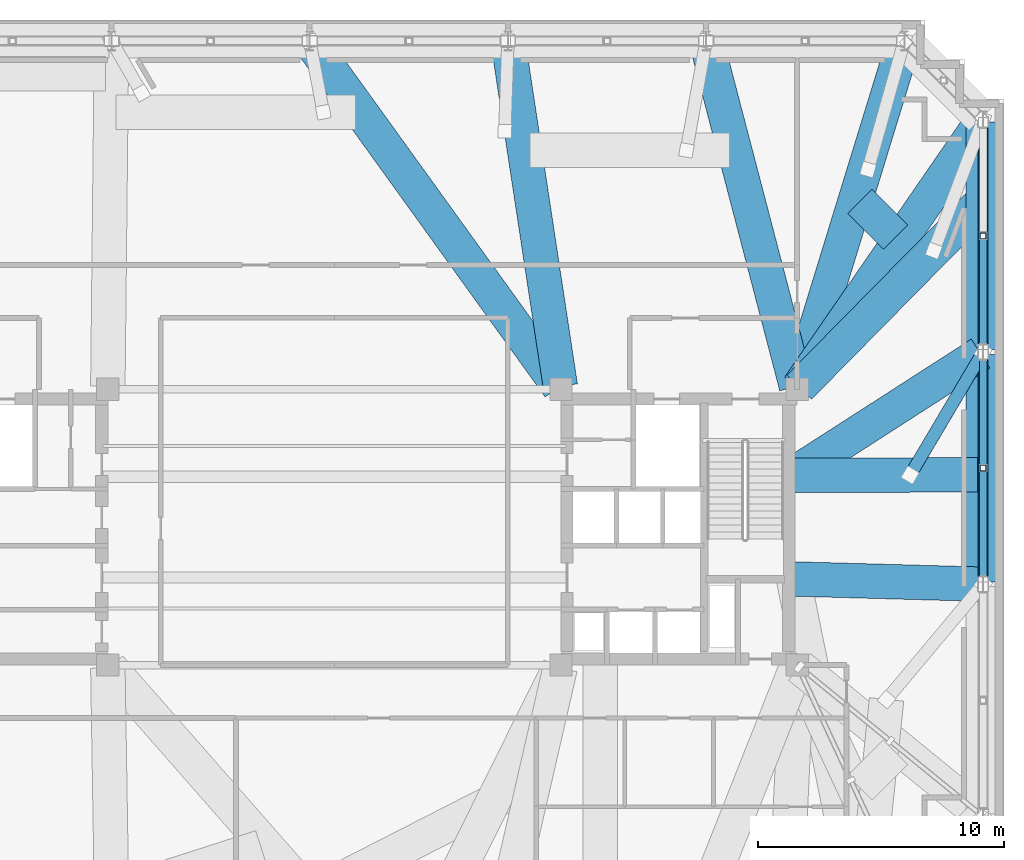
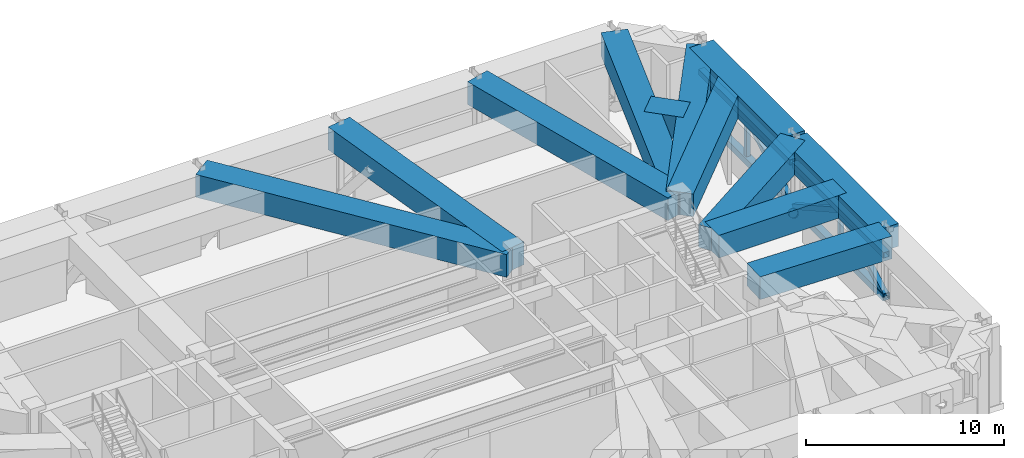
# One storey, part 8 of 18: 12 beams, 10 members.
"""IFC4 building model written with IfcOpenShell, lengths in metres."""

from ifc_helpers import new_model, si_unit, direction, frame, origin, origin_2d, place, context, subcontext, project, spatial, rectangle, hollow_rectangle, hollow_circle, extrude, material, material_profile, profile_set, type_object, element, save


model = new_model("IFC4")

# Units and contexts
model_context = context("Model", 3, precision=1e-05, world=origin(), true_north=direction((0.0, 1.0)))
body_context = subcontext(model_context, "Body", "Model", "MODEL_VIEW")
ifc_project = project(units=[si_unit("LENGTHUNIT", "METRE"), si_unit("AREAUNIT", "SQUARE_METRE"), si_unit("VOLUMEUNIT", "CUBIC_METRE"), si_unit("PLANEANGLEUNIT", "RADIAN"), si_unit("MASSUNIT", "GRAM", prefix="KILO")], contexts=[model_context])

# Site, building, storey
site_placement = place(None, origin())
site = spatial("IfcSite", under=ifc_project, at=site_placement, CompositionType="ELEMENT")
building_placement = place(site_placement, origin())
building = spatial("IfcBuilding", under=site, at=building_placement, Name="Qobustan Lattice House", CompositionType="ELEMENT")
storey_placement = place(building_placement, frame((0.0, 0.0, 174.550048828125)))
storey = spatial("IfcBuildingStorey", under=building, at=storey_placement, Name="L49", CompositionType="ELEMENT", Elevation=174.550048828125)

# Beams
ifc_material_1 = material(Name="Concrete C60/75", Category="concrete")
ifc_material_profile_1 = material_profile(ifc_material_1, rectangle(XDim=1.39990234375, YDim=1.39990234375, at=origin_2d()), Name="RC1400x1400")
ifc_profile_set_1 = profile_set([ifc_material_profile_1], Name="Concrete C60/75")
beam_type = type_object("IfcBeamType", Name="BM-TRG-RC1400", PredefinedType="USERDEFINED", material=ifc_profile_set_1)
beam_1_placement = place(storey_placement, frame((26.35009765625, -2.216796875, 4.119873046875), z_axis=(0.0, 1.0, 0.0), x_axis=(-1.0, 0.0, 0.0)))
element("IfcBeam", 1, at=beam_1_placement, inside=storey, type_object=beam_type, Name="L49 TT3 lower perimeter transfer girder E2-E3", ObjectType="GIRDER", PredefinedType="USERDEFINED", context=body_context, shape_type="SweptSolid", body=[
    extrude(rectangle(XDim=1.39990234375, YDim=1.39990234375, at=origin_2d()), origin(), (0.0, 0.0, 1.0), 9.2333984375),
])
beam_2_placement = place(storey_placement, frame((26.35009765625, 7.216796875, 4.119873046875), z_axis=(0.0, 1.0, 0.0), x_axis=(-1.0, 0.0, 0.0)))
element("IfcBeam", 2, at=beam_2_placement, inside=storey, type_object=beam_type, Name="L49 TT3 lower perimeter transfer girder E3-E4", ObjectType="GIRDER", PredefinedType="USERDEFINED", context=body_context, shape_type="SweptSolid", body=[
    extrude(rectangle(XDim=1.39990234375, YDim=1.39990234375, at=origin_2d()), origin(), (0.0, 0.0, 1.0), 9.233154296875),
])
beam_3_placement = place(storey_placement, frame((18.669921875, -2.103271484375, 4.119873046875), z_axis=(0.999613673622, -0.027793947329, 0.0), x_axis=(0.027793947329, 0.999613673622, 0.0)))
element("IfcBeam", 3, at=beam_3_placement, inside=storey, type_object=beam_type, Name="L49 TT3 radial transfer girder E2", ObjectType="GIRDER", PredefinedType="USERDEFINED", context=body_context, shape_type="SweptSolid", body=[
    extrude(rectangle(XDim=1.39990234375, YDim=1.39990234375, at=origin_2d()), origin(), (0.0, 0.0, 1.0), 7.56298828125),
])
beam_4_placement = place(storey_placement, frame((18.65087890625, 2.164794921875, 4.119873046875), z_axis=(0.841055526454, 0.540948797411, 0.0), x_axis=(-0.540948797411, 0.841055526454, 0.0)))
element("IfcBeam", 4, at=beam_4_placement, inside=storey, type_object=beam_type, Name="L49 TT3 radial transfer girder E3", ObjectType="GIRDER", PredefinedType="USERDEFINED", context=body_context, shape_type="SweptSolid", body=[
    extrude(rectangle(XDim=1.39990234375, YDim=1.39990234375, at=origin_2d()), origin(), (0.0, 0.0, 1.0), 9.0341796875),
])
beam_5_placement = place(storey_placement, frame((18.8681640625, 5.69873046875, 4.119873046875), z_axis=(0.567646899145, 0.823272128698, 0.0), x_axis=(-0.823272128698, 0.567646899145, 0.0)))
element("IfcBeam", 5, at=beam_5_placement, inside=storey, type_object=beam_type, Name="L49 TT3 radial transfer girder E4", ObjectType="GIRDER", PredefinedType="USERDEFINED", context=body_context, shape_type="SweptSolid", body=[
    extrude(rectangle(XDim=1.39990234375, YDim=1.39990234375, at=origin_2d()), origin(), (0.0, 0.0, 1.0), 13.060546875),
])
beam_6_placement = place(storey_placement, frame((18.835205078125, 5.714599609375, 4.119873046875), z_axis=(0.293851419619, 0.95585110932, 0.0), x_axis=(-0.95585110932, 0.293851419619, 0.0)))
element("IfcBeam", 6, at=beam_6_placement, inside=storey, type_object=beam_type, Name="L49 TT3 radial transfer girder N1", ObjectType="GIRDER", PredefinedType="USERDEFINED", context=body_context, shape_type="SweptSolid", body=[
    extrude(rectangle(XDim=1.39990234375, YDim=1.39990234375, at=origin_2d()), origin(), (0.0, 0.0, 1.0), 14.563720703125),
])
beam_7_placement = place(storey_placement, frame((18.76953125, 5.716064453125, 4.119873046875), z_axis=(-0.252971781323, 0.967473657447, 0.0), x_axis=(-0.967473657447, -0.252971781323, 0.0)))
element("IfcBeam", 7, at=beam_7_placement, inside=storey, type_object=beam_type, Name="L49 TT3 radial transfer girder N2", ObjectType="GIRDER", PredefinedType="USERDEFINED", context=body_context, shape_type="SweptSolid", body=[
    extrude(rectangle(XDim=1.39990234375, YDim=1.39990234375, at=origin_2d()), origin(), (0.0, 0.0, 1.0), 14.3857421875),
])
beam_8_placement = place(storey_placement, frame((9.181884765625, 5.718505859375, 4.119873046875), z_axis=(-0.150205712762, 0.988654764745, 0.0), x_axis=(-0.988654764745, -0.150205712762, 0.0)))
element("IfcBeam", 8, at=beam_8_placement, inside=storey, type_object=beam_type, Name="L49 TT3 radial transfer girder N3", ObjectType="GIRDER", PredefinedType="USERDEFINED", context=body_context, shape_type="SweptSolid", body=[
    extrude(rectangle(XDim=1.39990234375, YDim=1.39990234375, at=origin_2d()), origin(), (0.0, 0.0, 1.0), 14.072509765625),
])
beam_9_placement = place(storey_placement, frame((9.1298828125, 5.697265625, 4.119873046875), z_axis=(-0.584754014564, 0.811210664656, 0.0), x_axis=(-0.811210664656, -0.584754014564, 0.0)))
element("IfcBeam", 9, at=beam_9_placement, inside=storey, type_object=beam_type, Name="L49 TT3 radial transfer girder N4", ObjectType="GIRDER", PredefinedType="USERDEFINED", context=body_context, shape_type="SweptSolid", body=[
    extrude(rectangle(XDim=1.39990234375, YDim=1.39990234375, at=origin_2d()), origin(), (0.0, 0.0, 1.0), 17.203125),
])
beam_10_placement = place(storey_placement, frame((21.34814453125, 13.226806640625, 4.119873046875), z_axis=(0.707106781187, -0.707106781187, 0.0), x_axis=(0.707106781187, 0.707106781187, 0.0)))
element("IfcBeam", 10, at=beam_10_placement, inside=storey, type_object=beam_type, Name="L49 TT3 quadrant transfer tie girder 1", ObjectType="GIRDER", PredefinedType="USERDEFINED", context=body_context, shape_type="SweptSolid", body=[
    extrude(rectangle(XDim=1.39990234375, YDim=1.39990234375, at=origin_2d()), origin(), (0.0, 0.0, 1.0), 2.048828125),
])
beam_11_placement = place(storey_placement, frame((18.669921875, 2.1005859375, 4.119873046875), z_axis=(0.999992416565, 0.003894459274, 0.0), x_axis=(-0.003894459274, 0.999992416565, 0.0)))
element("IfcBeam", 11, at=beam_11_placement, inside=storey, type_object=beam_type, Name="L49 TT3 primary column transfer girder E3", ObjectType="GIRDER", PredefinedType="USERDEFINED", context=body_context, shape_type="SweptSolid", body=[
    extrude(rectangle(XDim=1.39990234375, YDim=1.39990234375, at=origin_2d()), origin(), (0.0, 0.0, 1.0), 7.4599609375),
])
beam_12_placement = place(storey_placement, frame((18.88427734375, 5.685546875, 4.119873046875), z_axis=(0.701615050718, 0.712556187683, 0.0), x_axis=(-0.712556187683, 0.701615050718, 0.0)))
element("IfcBeam", 12, at=beam_12_placement, inside=storey, type_object=beam_type, Name="L49 TT3 primary column transfer girder E4", ObjectType="GIRDER", PredefinedType="USERDEFINED", context=body_context, shape_type="SweptSolid", body=[
    extrude(rectangle(XDim=1.39990234375, YDim=1.39990234375, at=origin_2d()), origin(), (0.0, 0.0, 1.0), 10.420654296875),
])

# Members
ifc_material_2 = material(Name="Steel S355", Category="steel")
ifc_material_profile_2 = material_profile(ifc_material_2, hollow_rectangle(XDim=0.300048828125, YDim=0.300048828125, WallThickness=0.01611328125, at=origin_2d()), Name="SHS300x300x16")
ifc_profile_set_2 = profile_set([ifc_material_profile_2], Name="Steel S355")
member_type_1 = type_object("IfcMemberType", Name="MEM-BRC-SHS300", PredefinedType="BRACE", material=ifc_profile_set_2)
for number, where, z_axis, x_axis, name in (
    (13, (26.35009765625, -2.216796875, 0.550048828125), (0.0, 0.872144001092, 0.489249263013), (-1.0, 0.0, 0.0), "L49 TT3 belt truss web diagonal E2-E3 A"),
    (14, (26.35009765625, 2.39990234375, 3.139892578125), (0.0, 0.872144001092, -0.489249263013), (-1.0, 0.0, 0.0), "L49 TT3 belt truss web diagonal E2-E3 B"),
):
    element("IfcMember", number, at=place(storey_placement, frame(where, z_axis=z_axis, x_axis=x_axis)), inside=storey, type_object=member_type_1, Name=name, PredefinedType="BRACE", context=body_context, shape_type="SweptSolid", body=[
        extrude(hollow_rectangle(XDim=0.300048828125, YDim=0.300048828125, WallThickness=0.01611328125, at=origin_2d()), origin(), (0.0, 0.0, 1.0), 5.29345703125),
    ])
member_1_placement = place(storey_placement, frame((26.35009765625, 7.216796875, 0.550048828125), z_axis=(0.0, 0.872132960732, 0.489268943225), x_axis=(-1.0, 0.0, 0.0)))
element("IfcMember", 15, at=member_1_placement, inside=storey, type_object=member_type_1, Name="L49 TT3 belt truss web diagonal E3-E4 A", PredefinedType="BRACE", context=body_context, shape_type="SweptSolid", body=[
    extrude(hollow_rectangle(XDim=0.300048828125, YDim=0.300048828125, WallThickness=0.01611328125, at=origin_2d()), origin(), (0.0, 0.0, 1.0), 5.293212890625),
])
ifc_material_3 = material(Name="Steel S355", Category="steel")
ifc_material_profile_3 = material_profile(ifc_material_3, hollow_rectangle(XDim=0.35009765625, YDim=0.35009765625, WallThickness=0.01611328125, at=origin_2d()), Name="SHS350x350x16")
ifc_profile_set_3 = profile_set([ifc_material_profile_3], Name="Steel S355")
member_type_2 = type_object("IfcMemberType", Name="MEM-CHD-SHS350", PredefinedType="CHORD", material=ifc_profile_set_3)
member_2_placement = place(storey_placement, frame((26.35009765625, -2.216796875, 3.139892578125), z_axis=(0.0, 1.0, 0.0), x_axis=(-1.0, 0.0, 0.0)))
element("IfcMember", 16, at=member_2_placement, inside=storey, type_object=member_type_2, Name="L49 TT3 belt truss top chord E2-E3", PredefinedType="CHORD", context=body_context, shape_type="SweptSolid", body=[
    extrude(hollow_rectangle(XDim=0.35009765625, YDim=0.35009765625, WallThickness=0.01611328125, at=origin_2d()), origin(), (0.0, 0.0, 1.0), 9.2333984375),
])
member_3_placement = place(storey_placement, frame((26.35009765625, 7.216796875, 3.139892578125), z_axis=(0.0, 1.0, 0.0), x_axis=(-1.0, 0.0, 0.0)))
element("IfcMember", 17, at=member_3_placement, inside=storey, type_object=member_type_2, Name="L49 TT3 belt truss top chord E3-E4", PredefinedType="CHORD", context=body_context, shape_type="SweptSolid", body=[
    extrude(hollow_rectangle(XDim=0.35009765625, YDim=0.35009765625, WallThickness=0.01611328125, at=origin_2d()), origin(), (0.0, 0.0, 1.0), 9.233154296875),
])
ifc_material_4 = material(Name="Steel S355", Category="steel")
ifc_material_profile_4 = material_profile(ifc_material_4, hollow_rectangle(XDim=0.39990234375, YDim=0.39990234375, WallThickness=0.02001953125, at=origin_2d()), Name="SHS400x400x20")
ifc_profile_set_4 = profile_set([ifc_material_profile_4], Name="Steel S355")
member_type_3 = type_object("IfcMemberType", Name="MEM-CHD-SHS400", PredefinedType="CHORD", material=ifc_profile_set_4)
member_4_placement = place(storey_placement, frame((26.35009765625, -2.216796875, 0.550048828125), z_axis=(0.0, 1.0, 0.0), x_axis=(-1.0, 0.0, 0.0)))
element("IfcMember", 18, at=member_4_placement, inside=storey, type_object=member_type_3, Name="L49 TT3 belt truss bottom chord E2-E3", PredefinedType="CHORD", context=body_context, shape_type="SweptSolid", body=[
    extrude(hollow_rectangle(XDim=0.39990234375, YDim=0.39990234375, WallThickness=0.02001953125, at=origin_2d()), origin(), (0.0, 0.0, 1.0), 9.2333984375),
])
member_5_placement = place(storey_placement, frame((26.35009765625, 7.216796875, 0.550048828125), z_axis=(0.0, 1.0, 0.0), x_axis=(-1.0, 0.0, 0.0)))
element("IfcMember", 19, at=member_5_placement, inside=storey, type_object=member_type_3, Name="L49 TT3 belt truss bottom chord E3-E4", PredefinedType="CHORD", context=body_context, shape_type="SweptSolid", body=[
    extrude(hollow_rectangle(XDim=0.39990234375, YDim=0.39990234375, WallThickness=0.02001953125, at=origin_2d()), origin(), (0.0, 0.0, 1.0), 9.233154296875),
])
ifc_material_5 = material(Name="Steel S355", Category="steel")
ifc_material_profile_5 = material_profile(ifc_material_5, hollow_rectangle(XDim=0.25, YDim=0.25, WallThickness=0.012451171875, at=origin_2d()), Name="SHS250x250x12.5")
ifc_profile_set_5 = profile_set([ifc_material_profile_5], Name="Steel S355")
member_type_4 = type_object("IfcMemberType", Name="MEM-PST-SHS250", PredefinedType="POST", material=ifc_profile_set_5)
for number, where, z_axis, x_axis, name in (
    (20, (26.35009765625, 2.39990234375, 0.550048828125), (0.0, 0.0, 1.0), (1.0, 0.0, 0.0), "L49 TT3 belt truss vertical post E2-E3"),
    (21, (26.35009765625, 11.833251953125, 0.550048828125), (0.0, 0.0, 1.0), (1.0, 0.0, 0.0), "L49 TT3 belt truss vertical post E3-E4"),
):
    element("IfcMember", number, at=place(storey_placement, frame(where, z_axis=z_axis, x_axis=x_axis)), inside=storey, type_object=member_type_4, Name=name, PredefinedType="POST", context=body_context, shape_type="SweptSolid", body=[
        extrude(hollow_rectangle(XDim=0.25, YDim=0.25, WallThickness=0.012451171875, at=origin_2d()), origin(), (0.0, 0.0, 1.0), 2.58984375),
    ])
ifc_material_6 = material(Name="Steel S355", Category="steel")
ifc_material_profile_6 = material_profile(ifc_material_6, hollow_circle(Radius=0.25390625, WallThickness=0.02001953125, at=origin_2d()), Name="CHS508x20")
ifc_profile_set_6 = profile_set([ifc_material_profile_6], Name="Steel S355")
member_type_5 = type_object("IfcMemberType", Name="MEM-STR-CHS508", PredefinedType="STRUT", material=ifc_profile_set_6)
member_6_placement = place(storey_placement, frame((26.35009765625, 7.11669921875, 0.014892578125), z_axis=(-0.416067346292, -0.702690755379, 0.577160000046), x_axis=(0.860475146567, -0.509492416176, 0.0)))
element("IfcMember", 22, at=member_6_placement, inside=storey, type_object=member_type_5, Name="L49 TT3 column transfer strut E3", PredefinedType="STRUT", context=body_context, shape_type="SweptSolid", body=[
    extrude(hollow_circle(Radius=0.25390625, WallThickness=0.02001953125, at=origin_2d()), origin(), (0.0, 0.0, 1.0), 7.1123046875),
])

save(model, "model.ifc")
